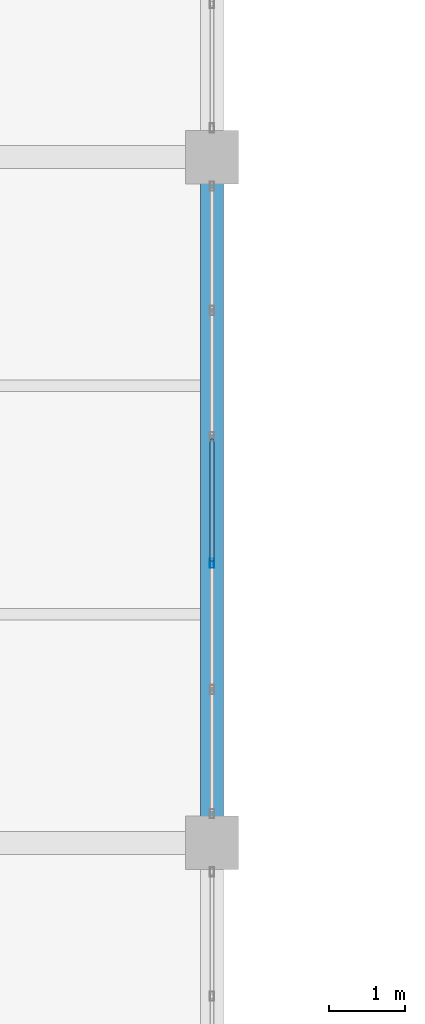
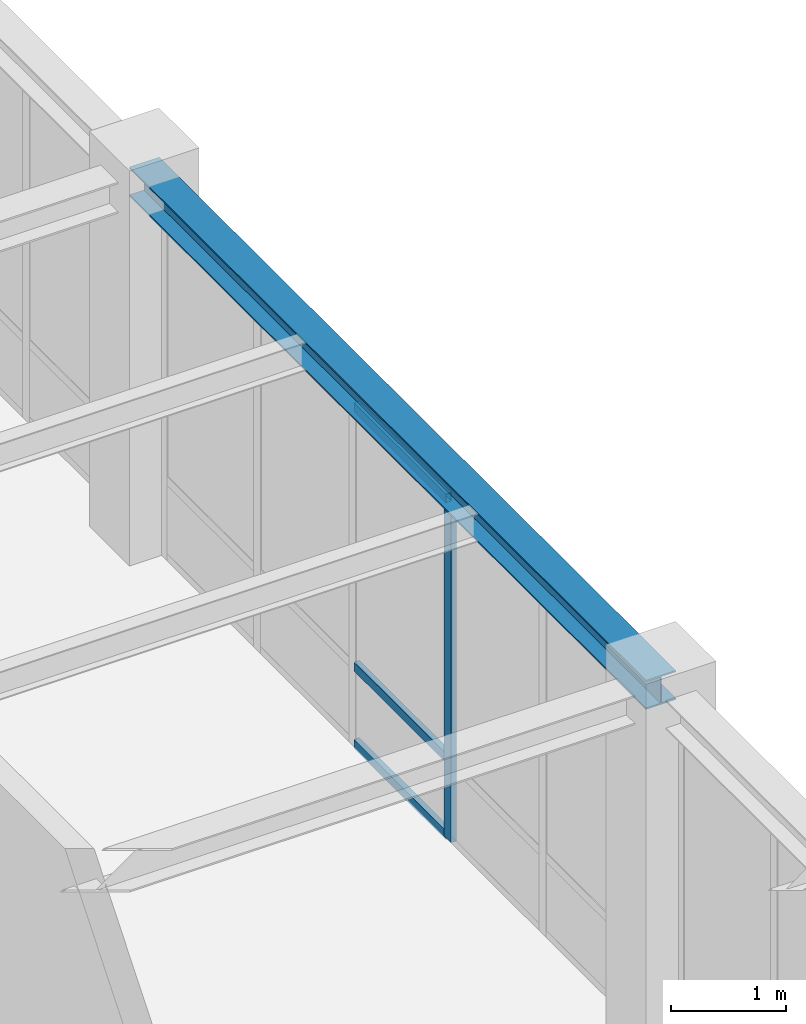
# One storey, part 54 of 108: 4 members, 1 beam, 1 element without a shape of its own.
"""IFC4 building model written with IfcOpenShell, lengths in metres."""

from ifc_helpers import new_model, si_unit, direction, frame, origin, origin_2d, place, context, subcontext, project, spatial, hollow_rectangle, i_section, extrude, material, material_profile, profile_set, type_object, element, aggregate, save


model = new_model("IFC4")

# Units and contexts
model_context = context("Model", 3, precision=1e-05, world=origin(), true_north=direction((0.0, 1.0)))
body_context = subcontext(model_context, "Body", "Model", "MODEL_VIEW")
ifc_project = project(units=[si_unit("LENGTHUNIT", "METRE"), si_unit("AREAUNIT", "SQUARE_METRE"), si_unit("VOLUMEUNIT", "CUBIC_METRE"), si_unit("PLANEANGLEUNIT", "RADIAN"), si_unit("MASSUNIT", "GRAM", prefix="KILO")], contexts=[model_context])

# Site, building, storey
site_placement = place(None, origin())
site = spatial("IfcSite", under=ifc_project, at=site_placement, CompositionType="ELEMENT")
building_placement = place(site_placement, origin())
building = spatial("IfcBuilding", under=site, at=building_placement, Name="Lykobir Media Centre", CompositionType="ELEMENT")
storey_placement = place(building_placement, frame((0.0, 0.0, 15.0)))
storey = spatial("IfcBuildingStorey", under=building, at=storey_placement, Name="L03", CompositionType="ELEMENT", Elevation=15.0)

# Beam
ifc_material_1 = material(Name="Steel S355", Category="steel")
ifc_material_profile_1 = material_profile(ifc_material_1, i_section(OverallWidth=0.300048828125, OverallDepth=0.31005859375, WebThickness=0.009033203125, FlangeThickness=0.015380859375, at=origin_2d()), Name="HEA 320")
ifc_profile_set_1 = profile_set([ifc_material_profile_1], Name="Steel S355")
beam_type = type_object("IfcBeamType", Name="BM-HEA320", PredefinedType="BEAM", material=ifc_profile_set_1)
beam_placement = place(storey_placement, frame((99.0, 27.0, 3.804931640625), z_axis=(0.0, 1.0, 0.0), x_axis=(-1.0, 0.0, 0.0)))
element("IfcBeam", 1, at=beam_placement, inside=storey, type_object=beam_type, Name="Beam BM-L03-0990-0270-0990-0360-1880", PredefinedType="BEAM", context=body_context, shape_type="SweptSolid", body=[
    extrude(i_section(OverallWidth=0.300048828125, OverallDepth=0.31005859375, WebThickness=0.009033203125, FlangeThickness=0.015380859375, at=origin_2d()), origin(), (0.0, 0.0, 1.0), 9.0),
])

# Curtain wall, members
ifc_material_2 = material(Name="Anodized Aluminium AW-6060", Category="aluminium")
curtain_wall_type = type_object("IfcCurtainWallType", Name="CW-COURT-B", PredefinedType="NOTDEFINED", material=ifc_material_2)
curtain_wall_placement = place(storey_placement, origin())
curtain_wall = element("IfcCurtainWall", 2, at=curtain_wall_placement, inside=storey, type_object=curtain_wall_type, Name="Curtain wall CW2-L03-0141", PredefinedType="NOTDEFINED")
ifc_material_profile_2 = material_profile(ifc_material_2, hollow_rectangle(XDim=0.054931640625, YDim=0.1201171875, WallThickness=0.003173828125, at=origin_2d()), Name="ALU MULLION 55x120")
ifc_profile_set_2 = profile_set([ifc_material_profile_2], Name="Anodized Aluminium AW-6060")
member_type_1 = type_object("IfcMemberType", Name="CWM-120", PredefinedType="MULLION", material=ifc_profile_set_2)
member_1_placement = place(storey_placement, frame((99.0, 30.6708984375, 0.0), z_axis=(0.0, 0.0, 1.0), x_axis=(1.0, 0.0, 0.0)))
member_1 = element("IfcMember", 3, at=member_1_placement, type_object=member_type_1, Name="CW2-L03-0141 mullion 4", PredefinedType="MULLION", context=body_context, shape_type="SweptSolid", body=[
    extrude(hollow_rectangle(XDim=0.054931640625, YDim=0.1201171875, WallThickness=0.003173828125, at=origin_2d()), origin(), (0.0, 0.0, 1.0), 3.635009765625),
])
ifc_material_profile_3 = material_profile(ifc_material_2, hollow_rectangle(XDim=0.054931640625, YDim=0.094970703125, WallThickness=0.0029296875, at=origin_2d()), Name="ALU TRANSOM 55x95")
ifc_profile_set_3 = profile_set([ifc_material_profile_3], Name="Anodized Aluminium AW-6060")
member_type_2 = type_object("IfcMemberType", Name="CWT-095", PredefinedType="USERDEFINED", material=ifc_profile_set_3)
member_2_placement = place(storey_placement, frame((99.0, 32.301513671875, 0.027587890625), z_axis=(0.0, -1.0, 0.0), x_axis=(1.0, 0.0, 0.0)))
member_2 = element("IfcMember", 4, at=member_2_placement, type_object=member_type_2, Name="CW2-L03-0141 transom 3.1", ObjectType="TRANSOM", PredefinedType="USERDEFINED", context=body_context, shape_type="SweptSolid", body=[
    extrude(hollow_rectangle(XDim=0.054931640625, YDim=0.094970703125, WallThickness=0.0029296875, at=origin_2d()), origin(), (0.0, 0.0, 1.0), 1.60302734375),
])
member_3_placement = place(storey_placement, frame((99.0, 32.301513671875, 0.85009765625), z_axis=(0.0, -1.0, 0.0), x_axis=(1.0, 0.0, 0.0)))
member_3 = element("IfcMember", 5, at=member_3_placement, type_object=member_type_2, Name="CW2-L03-0141 transom 3.2", ObjectType="TRANSOM", PredefinedType="USERDEFINED", context=body_context, shape_type="SweptSolid", body=[
    extrude(hollow_rectangle(XDim=0.054931640625, YDim=0.094970703125, WallThickness=0.0029296875, at=origin_2d()), origin(), (0.0, 0.0, 1.0), 1.60302734375),
])
member_4_placement = place(storey_placement, frame((99.0, 32.301513671875, 3.607421875), z_axis=(0.0, -1.0, 0.0), x_axis=(1.0, 0.0, 0.0)))
member_4 = element("IfcMember", 6, at=member_4_placement, type_object=member_type_2, Name="CW2-L03-0141 transom 3.3", ObjectType="TRANSOM", PredefinedType="USERDEFINED", context=body_context, shape_type="SweptSolid", body=[
    extrude(hollow_rectangle(XDim=0.054931640625, YDim=0.094970703125, WallThickness=0.0029296875, at=origin_2d()), origin(), (0.0, 0.0, 1.0), 1.60302734375),
])
aggregate(curtain_wall, [member_1, member_2, member_3, member_4])

save(model, "model.ifc")
